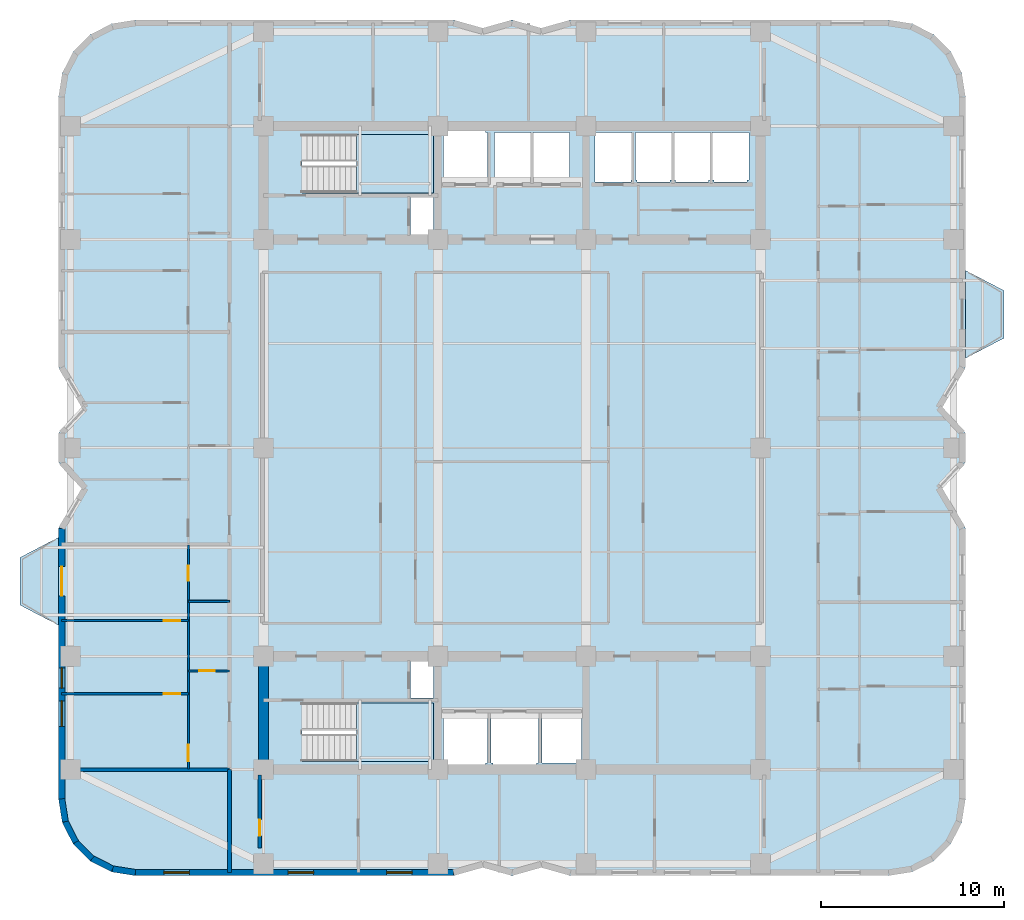
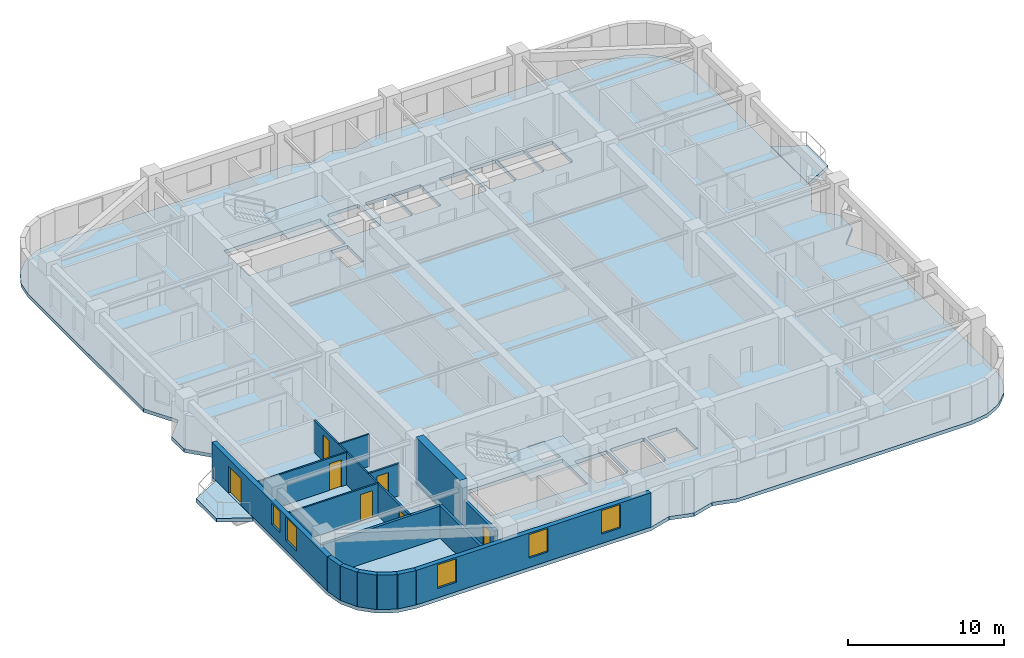
# One storey, part 2 of 10: 16 walls, 7 doors, 5 slabs, 5 windows, 12 openings, 2 elements without a shape of their own.
"""IFC4 building model written with IfcOpenShell, lengths in metres."""

from ifc_helpers import new_model, si_unit, direction, frame, frame_2d, origin, place, context, subcontext, project, spatial, polyline, rectangle, outline, extrude, material, layer, layer_set, type_object, element, fill, aggregate, save


model = new_model("IFC4")

# Units and contexts
model_context = context("Model", 3, precision=1e-05, world=origin(), true_north=direction((0.0, 1.0)))
body_context = subcontext(model_context, "Body", "Model", "MODEL_VIEW")
ifc_project = project(units=[si_unit("LENGTHUNIT", "METRE"), si_unit("AREAUNIT", "SQUARE_METRE"), si_unit("VOLUMEUNIT", "CUBIC_METRE"), si_unit("PLANEANGLEUNIT", "RADIAN"), si_unit("MASSUNIT", "GRAM", prefix="KILO")], contexts=[model_context])

# Site, building, storey
site_placement = place(None, origin())
site = spatial("IfcSite", under=ifc_project, at=site_placement, CompositionType="ELEMENT")
building_placement = place(site_placement, origin())
building = spatial("IfcBuilding", under=site, at=building_placement, Name="Svetorya Sky Lyceum", CompositionType="ELEMENT")
storey_placement = place(building_placement, frame((0.0, 0.0, 110.5)))
storey = spatial("IfcBuildingStorey", under=building, at=storey_placement, Name="L27", CompositionType="ELEMENT", Elevation=110.5)

# Slabs
ifc_material_1 = material(Name="Concrete C40/50", Category="concrete")
ifc_layer_1 = layer(ifc_material_1, 0.280029296875)
ifc_layer_set_1 = layer_set([ifc_layer_1], Name="Concrete C40/50")
slab_type_1 = type_object("IfcSlabType", Name="SL-BAL-280", PredefinedType="FLOOR", material=ifc_layer_set_1)
slab_1_placement = place(storey_placement, frame((0.0, 0.0, -0.280029296875)))
element("IfcSlab", 1, at=slab_1_placement, inside=storey, type_object=slab_type_1, Name="L27 Chamfered Loggia Balcony BAL-W1", PredefinedType="FLOOR", context=body_context, shape_type="SweptSolid", body=[
    extrude(outline(polyline([(14.389892578125, 18.5), (14.389892578125, 23.300048828125), (12.2900390625, 22.199951171875), (12.2900390625, 19.60009765625), (14.389892578125, 18.5)])), origin(), (0.0, 0.0, 1.0), 0.280029296875),
])
slab_2_placement = place(storey_placement, frame((0.0, 0.0, -0.280029296875)))
element("IfcSlab", 2, at=slab_2_placement, inside=storey, type_object=slab_type_1, Name="L27 Chamfered Loggia Balcony BAL-E1", PredefinedType="FLOOR", context=body_context, shape_type="SweptSolid", body=[
    extrude(outline(polyline([(64.010009765625, 33.10009765625), (66.110107421875, 34.199951171875), (66.110107421875, 36.800048828125), (64.010009765625, 37.89990234375), (64.010009765625, 33.10009765625)])), origin(), (0.0, 0.0, 1.0), 0.280029296875),
])

# Stair, slab
stair_type_1 = type_object("IfcStairType", Name="STR-ST-S", PredefinedType="HALF_TURN_STAIR", material=ifc_material_1)
stair_1_placement = place(storey_placement, origin())
stair_1 = element("IfcStair", 3, at=stair_1_placement, inside=storey, type_object=stair_type_1, Name="L27 South Core Smoke-Free Exit Stair N2", PredefinedType="HALF_TURN_STAIR")
ifc_layer_2 = layer(ifc_material_1, 0.199951171875)
ifc_layer_set_2 = layer_set([ifc_layer_2], Name="Concrete C40/50")
slab_type_2 = type_object("IfcSlabType", Name="SL-STR-LAND-200", PredefinedType="LANDING", material=ifc_layer_set_2)
slab_3_placement = place(storey_placement, frame((0.0, 0.0, 1.64990234375)))
slab_3 = element("IfcSlab", 4, at=slab_3_placement, type_object=slab_type_2, Name="ST-S landing 1", PredefinedType="LANDING", context=body_context, shape_type="SweptSolid", body=[
    extrude(outline(polyline([(30.699951171875, 11.050048828125), (34.89990234375, 11.050048828125), (34.89990234375, 14.25), (30.699951171875, 14.25), (30.699951171875, 11.050048828125)])), origin(), (0.0, 0.0, 1.0), 0.2001953125),
])
aggregate(stair_1, [slab_3])

stair_type_2 = type_object("IfcStairType", Name="STR-ST-N", PredefinedType="HALF_TURN_STAIR", material=ifc_material_1)
stair_2_placement = place(storey_placement, origin())
stair_2 = element("IfcStair", 5, at=stair_2_placement, inside=storey, type_object=stair_type_2, Name="L27 North Core Smoke-Free Exit Stair N3", PredefinedType="HALF_TURN_STAIR")
slab_4_placement = place(storey_placement, frame((0.0, 0.0, 1.64990234375)))
slab_4 = element("IfcSlab", 6, at=slab_4_placement, type_object=slab_type_2, Name="ST-N landing 1", PredefinedType="LANDING", context=body_context, shape_type="SweptSolid", body=[
    extrude(outline(polyline([(30.699951171875, 42.14990234375), (34.89990234375, 42.14990234375), (34.89990234375, 45.35009765625), (30.699951171875, 45.35009765625), (30.699951171875, 42.14990234375)])), origin(), (0.0, 0.0, 1.0), 0.2001953125),
])
aggregate(stair_2, [slab_4])

# Slab
ifc_material_2 = material(Name="Concrete C50/60", Category="concrete")
ifc_layer_3 = layer(ifc_material_2, 0.280029296875)
ifc_layer_set_3 = layer_set([ifc_layer_3], Name="Concrete C50/60")
slab_type_3 = type_object("IfcSlabType", Name="SL-TWR-280", PredefinedType="FLOOR", material=ifc_layer_set_3)
slab_5_placement = place(storey_placement, frame((0.0, 0.0, -0.280029296875)))
element("IfcSlab", 7, at=slab_5_placement, inside=storey, type_object=slab_type_3, Name="L27 Structural Floor Slab", PredefinedType="FLOOR", context=body_context, shape_type="SweptSolid", body=[
    extrude(outline(polyline([(14.39990234375, 9.0), (14.605712890625, 7.7021484375), (15.2021484375, 6.53125), (16.13134765625, 5.60205078125), (17.302001953125, 5.005615234375), (18.60009765625, 4.800048828125), (36.0, 4.800048828125), (37.60009765625, 5.25), (39.199951171875, 4.800048828125), (40.800048828125, 5.25), (42.39990234375, 4.800048828125), (59.800048828125, 4.800048828125), (61.097900390625, 5.005615234375), (62.268798828125, 5.60205078125), (63.197998046875, 6.53125), (63.79443359375, 7.7021484375), (64.0, 9.0), (64.0, 23.800048828125), (62.699951171875, 26.0), (64.0, 27.39990234375), (64.0, 29.0), (62.699951171875, 30.39990234375), (64.0, 32.60009765625), (64.0, 47.39990234375), (63.79443359375, 48.697998046875), (63.197998046875, 49.86865234375), (62.268798828125, 50.7978515625), (61.097900390625, 51.394287109375), (59.800048828125, 51.60009765625), (42.39990234375, 51.60009765625), (40.800048828125, 51.14990234375), (39.199951171875, 51.60009765625), (37.60009765625, 51.14990234375), (36.0, 51.60009765625), (18.60009765625, 51.60009765625), (17.302001953125, 51.394287109375), (16.13134765625, 50.7978515625), (15.2021484375, 49.86865234375), (14.605712890625, 48.697998046875), (14.39990234375, 47.39990234375), (14.39990234375, 32.60009765625), (15.699951171875, 30.39990234375), (14.39990234375, 29.0), (14.39990234375, 27.39990234375), (15.699951171875, 26.0), (14.39990234375, 23.800048828125), (14.39990234375, 9.0)]), holes=[polyline([(37.85009765625, 10.949951171875), (37.75, 10.949951171875), (37.75, 10.85009765625), (35.550048828125, 10.85009765625), (35.550048828125, 10.949951171875), (35.449951171875, 10.949951171875), (35.449951171875, 13.64990234375), (35.550048828125, 13.64990234375), (37.75, 13.64990234375), (37.85009765625, 13.64990234375), (37.85009765625, 10.949951171875)]), polyline([(40.64990234375, 13.64990234375), (40.64990234375, 10.949951171875), (40.550048828125, 10.949951171875), (40.550048828125, 10.800048828125), (38.14990234375, 10.800048828125), (38.14990234375, 10.949951171875), (38.050048828125, 10.949951171875), (38.050048828125, 13.64990234375), (38.14990234375, 13.64990234375), (38.14990234375, 13.699951171875), (40.550048828125, 13.699951171875), (40.550048828125, 13.64990234375), (40.64990234375, 13.64990234375)]), polyline([(27.719970703125, 14.25), (34.89990234375, 14.25), (34.89990234375, 11.050048828125), (27.719970703125, 11.050048828125), (27.719970703125, 14.25)]), polyline([(33.64990234375, 14.52001953125), (33.64990234375, 16.580078125), (34.89990234375, 16.580078125), (34.89990234375, 14.52001953125), (33.64990234375, 14.52001953125)]), polyline([(33.64990234375, 41.89990234375), (34.89990234375, 41.89990234375), (34.89990234375, 39.820068359375), (33.64990234375, 39.820068359375), (33.64990234375, 41.89990234375)]), polyline([(27.719970703125, 45.35009765625), (34.89990234375, 45.35009765625), (34.89990234375, 42.14990234375), (27.719970703125, 42.14990234375), (27.719970703125, 45.35009765625)]), polyline([(37.75, 45.550048828125), (37.75, 45.449951171875), (37.85009765625, 45.449951171875), (37.85009765625, 42.75), (37.75, 42.75), (35.550048828125, 42.75), (35.449951171875, 42.75), (35.449951171875, 45.449951171875), (35.550048828125, 45.449951171875), (35.550048828125, 45.550048828125), (37.75, 45.550048828125)]), polyline([(38.39990234375, 42.85009765625), (38.25, 42.85009765625), (38.25, 45.449951171875), (38.39990234375, 45.449951171875), (40.199951171875, 45.449951171875), (40.25, 45.449951171875), (40.25, 42.85009765625), (40.199951171875, 42.85009765625), (40.199951171875, 42.75), (38.39990234375, 42.75), (38.39990234375, 42.85009765625)]), polyline([(40.85009765625, 13.64990234375), (43.0, 13.64990234375), (43.0, 10.949951171875), (40.85009765625, 10.949951171875), (40.85009765625, 13.64990234375)]), polyline([(40.39990234375, 42.85009765625), (40.35009765625, 42.85009765625), (40.35009765625, 45.449951171875), (40.39990234375, 45.449951171875), (42.300048828125, 45.449951171875), (42.35009765625, 45.449951171875), (42.35009765625, 42.85009765625), (42.300048828125, 42.85009765625), (42.300048828125, 42.75), (40.39990234375, 42.75), (40.39990234375, 42.85009765625)]), polyline([(43.75, 42.75), (43.75, 42.85009765625), (43.75, 45.449951171875), (45.699951171875, 45.449951171875), (45.75, 45.449951171875), (45.75, 42.85009765625), (45.699951171875, 42.85009765625), (45.699951171875, 42.75), (43.75, 42.75)]), polyline([(46.050048828125, 42.85009765625), (45.949951171875, 42.85009765625), (45.949951171875, 45.449951171875), (46.050048828125, 45.449951171875), (47.85009765625, 45.449951171875), (47.949951171875, 45.449951171875), (47.949951171875, 42.85009765625), (47.85009765625, 42.85009765625), (47.85009765625, 42.75), (46.050048828125, 42.75), (46.050048828125, 42.85009765625)]), polyline([(48.14990234375, 42.85009765625), (48.050048828125, 42.85009765625), (48.050048828125, 45.449951171875), (48.14990234375, 45.449951171875), (49.949951171875, 45.449951171875), (50.050048828125, 45.449951171875), (50.050048828125, 42.85009765625), (49.949951171875, 42.85009765625), (49.949951171875, 42.75), (48.14990234375, 42.75), (48.14990234375, 42.85009765625)]), polyline([(52.14990234375, 42.85009765625), (52.050048828125, 42.85009765625), (52.050048828125, 42.75), (50.25, 42.75), (50.25, 42.85009765625), (50.14990234375, 42.85009765625), (50.14990234375, 45.449951171875), (50.25, 45.449951171875), (52.050048828125, 45.449951171875), (52.14990234375, 45.449951171875), (52.14990234375, 42.85009765625)])]), origin(), (0.0, 0.0, 1.0), 0.280029296875),
])

# Walls
ifc_material_3 = material(Name="Concrete C60/75", Category="concrete")
ifc_layer_4 = layer(ifc_material_3, 0.550048828125)
ifc_layer_set_4 = layer_set([ifc_layer_4], Name="Concrete C60/75")
wall_type_1 = type_object("IfcWallType", Name="WL-CORE-550", PredefinedType="SHEAR", material=ifc_layer_set_4)
wall_1_placement = place(storey_placement, frame((25.60009765625, 10.875, 0.0), z_axis=(0.0, 0.0, 1.0), x_axis=(0.0, 1.0, 0.0)))
element("IfcWall", 8, at=wall_1_placement, inside=storey, type_object=wall_type_1, Name="L27 SC West Core Shear Wall", PredefinedType="SHEAR", context=body_context, shape_type="SweptSolid", body=[
    extrude(rectangle(XDim=5.64990234375, YDim=0.550048828125, at=frame_2d((2.824951171875, 0.0))), origin(), (0.0, 0.0, 1.0), 3.699951171875),
])
ifc_material_4 = material(Name="Putilovo limestone rainscreen on autoclaved cellular masonry", Category="masonry")
ifc_layer_5 = layer(ifc_material_4, 0.340087890625)
ifc_layer_set_5 = layer_set([ifc_layer_5], Name="Putilovo limestone rainscreen on autoclaved cellular masonry")
wall_type_2 = type_object("IfcWallType", Name="WL-EXT-340", PredefinedType="SOLIDWALL", material=ifc_layer_set_5)
wall_2_placement = place(storey_placement, frame((14.570068359375, 9.0, 0.0), z_axis=(0.0, 0.0, 1.0), x_axis=(0.156260864002, -0.98771582066, 0.0)))
element("IfcWall", 9, at=wall_2_placement, inside=storey, type_object=wall_type_2, Name="L27 Limestone Exterior Wall 1M", PredefinedType="SOLIDWALL", context=body_context, shape_type="SweptSolid", body=[
    extrude(rectangle(XDim=1.2607421875, YDim=0.340087890625, at=frame_2d((0.63037109375, 0.0))), origin(), (0.0, 0.0, 1.0), 2.699951171875),
])
wall_3_placement = place(storey_placement, frame((14.76708984375, 7.754638671875, 0.0), z_axis=(0.0, 0.0, 1.0), x_axis=(0.454015689056, -0.890993689142, 0.0)))
element("IfcWall", 10, at=wall_3_placement, inside=storey, type_object=wall_type_2, Name="L27 Limestone Exterior Wall 2M", PredefinedType="SOLIDWALL", context=body_context, shape_type="SweptSolid", body=[
    extrude(rectangle(XDim=1.260986328125, YDim=0.340087890625, at=frame_2d((0.63037109375, 0.0))), origin(), (0.0, 0.0, 1.0), 2.699951171875),
])
wall_4_placement = place(storey_placement, frame((15.339599609375, 6.631103515625, 0.0), z_axis=(0.0, 0.0, 1.0), x_axis=(0.707203598708, -0.707009950407, 0.0)))
element("IfcWall", 11, at=wall_4_placement, inside=storey, type_object=wall_type_2, Name="L27 Limestone Exterior Wall 3M", PredefinedType="SOLIDWALL", context=body_context, shape_type="SweptSolid", body=[
    extrude(rectangle(XDim=1.2607421875, YDim=0.340087890625, at=frame_2d((0.63037109375, 0.0))), origin(), (0.0, 0.0, 1.0), 2.699951171875),
])
for number, where, z_axis, x_axis, name in (
    (12, (16.231201171875, 5.73974609375, 0.0), (0.0, 0.0, 1.0), (0.890993689142, -0.454015689056, 0.0), "L27 Limestone Exterior Wall 4M"),
    (13, (17.354736328125, 5.167236328125, 0.0), (0.0, 0.0, 1.0), (0.987685918112, -0.15644975923, 0.0), "L27 Limestone Exterior Wall 5M"),
):
    element("IfcWall", number, at=place(storey_placement, frame(where, z_axis=z_axis, x_axis=x_axis)), inside=storey, type_object=wall_type_2, Name=name, PredefinedType="SOLIDWALL", context=body_context, shape_type="SweptSolid", body=[
        extrude(rectangle(XDim=1.260986328125, YDim=0.340087890625, at=frame_2d((0.63037109375, 0.0))), origin(), (0.0, 0.0, 1.0), 2.699951171875),
    ])

# Wall, openings, windows
wall_5_placement = place(storey_placement, frame((18.60009765625, 4.969970703125, 0.0), z_axis=(0.0, 0.0, 1.0), x_axis=(1.0, 0.0, 0.0)))
wall_5 = element("IfcWall", 14, at=wall_5_placement, inside=storey, type_object=wall_type_2, Name="L27 Limestone Exterior Wall 6M", PredefinedType="SOLIDWALL", context=body_context, shape_type="SweptSolid", body=[
    extrude(rectangle(XDim=17.39990234375, YDim=0.340087890625, at=frame_2d((8.699951171875, 0.0))), origin(), (0.0, 0.0, 1.0), 2.699951171875),
])
opening_1_placement = place(wall_5_placement, frame((1.56005859375, 0.0, 0.72998046875)))
opening_1 = element("IfcOpeningElement", 15, at=opening_1_placement, cuts=wall_5, Name="Opening W-R2", PredefinedType="OPENING", context=body_context, shape_type="SweptSolid", body=[
    extrude(rectangle(XDim=1.39990234375, YDim=1.85009765625, at=frame_2d((0.699951171875, 0.925048828125))), frame((0.0, 0.179931640625, 0.0), z_axis=(0.0, -1.0, 0.0), x_axis=(1.0, 0.0, 0.0)), (0.0, 0.0, 1.0), 0.360107421875),
])
opening_2_placement = place(wall_5_placement, frame((8.35009765625, 0.0, 0.72998046875)))
opening_2 = element("IfcOpeningElement", 16, at=opening_2_placement, cuts=wall_5, Name="Opening W-R2", PredefinedType="OPENING", context=body_context, shape_type="SweptSolid", body=[
    extrude(rectangle(XDim=1.39990234375, YDim=1.85009765625, at=frame_2d((0.699951171875, 0.925048828125))), frame((0.0, 0.179931640625, 0.0), z_axis=(0.0, -1.0, 0.0), x_axis=(1.0, 0.0, 0.0)), (0.0, 0.0, 1.0), 0.360107421875),
])
opening_3_placement = place(wall_5_placement, frame((13.739990234375, 0.0, 0.72998046875)))
opening_3 = element("IfcOpeningElement", 17, at=opening_3_placement, cuts=wall_5, Name="Opening W-R2", PredefinedType="OPENING", context=body_context, shape_type="SweptSolid", body=[
    extrude(rectangle(XDim=1.39990234375, YDim=1.85009765625, at=frame_2d((0.699951171875, 0.925048828125))), frame((0.0, 0.179931640625, 0.0), z_axis=(0.0, -1.0, 0.0), x_axis=(1.0, 0.0, 0.0)), (0.0, 0.0, 1.0), 0.360107421875),
])
ifc_material_5 = material(Name="Thermally broken aluminium frame with triple low-E glazing", Category="aluminium")
window_type_1 = type_object("IfcWindowType", Name="WN-RES-140", PartitioningType="SINGLE_PANEL", PredefinedType="WINDOW", material=ifc_material_5)
window_1_placement = place(opening_1_placement, origin())
window_1 = element("IfcWindow", 18, at=window_1_placement, inside=storey, type_object=window_type_1, Name="L27 Facade Window W-R2.6M.1", OverallHeight=1.85009765625, OverallWidth=1.39990234375, PartitioningType="SINGLE_PANEL", PredefinedType="WINDOW", context=body_context, shape_type="SweptSolid", body=[
    extrude(rectangle(XDim=1.39990234375, YDim=1.85009765625, at=frame_2d((0.699951171875, 0.925048828125))), frame((0.0, 0.030029296875, 0.0), z_axis=(0.0, -1.0, 0.0), x_axis=(1.0, 0.0, 0.0)), (0.0, 0.0, 1.0), 0.06005859375),
])
fill(opening_1, window_1)
window_2_placement = place(opening_2_placement, origin())
window_2 = element("IfcWindow", 19, at=window_2_placement, inside=storey, type_object=window_type_1, Name="L27 Facade Window W-R2.6M.2", OverallHeight=1.85009765625, OverallWidth=1.39990234375, PartitioningType="SINGLE_PANEL", PredefinedType="WINDOW", context=body_context, shape_type="SweptSolid", body=[
    extrude(rectangle(XDim=1.39990234375, YDim=1.85009765625, at=frame_2d((0.699951171875, 0.925048828125))), frame((0.0, 0.030029296875, 0.0), z_axis=(0.0, -1.0, 0.0), x_axis=(1.0, 0.0, 0.0)), (0.0, 0.0, 1.0), 0.06005859375),
])
fill(opening_2, window_2)
window_3_placement = place(opening_3_placement, origin())
window_3 = element("IfcWindow", 20, at=window_3_placement, inside=storey, type_object=window_type_1, Name="L27 Facade Window W-R2.6M.3", OverallHeight=1.85009765625, OverallWidth=1.39990234375, PartitioningType="SINGLE_PANEL", PredefinedType="WINDOW", context=body_context, shape_type="SweptSolid", body=[
    extrude(rectangle(XDim=1.39990234375, YDim=1.85009765625, at=frame_2d((0.699951171875, 0.925048828125))), frame((0.0, 0.030029296875, 0.0), z_axis=(0.0, -1.0, 0.0), x_axis=(1.0, 0.0, 0.0)), (0.0, 0.0, 1.0), 0.06005859375),
])
fill(opening_3, window_3)

# Wall, openings, door, windows
wall_6_placement = place(storey_placement, frame((14.570068359375, 23.800048828125, 0.0), z_axis=(0.0, 0.0, 1.0), x_axis=(0.0, -1.0, 0.0)))
wall_6 = element("IfcWall", 21, at=wall_6_placement, inside=storey, type_object=wall_type_2, Name="L27 Limestone Exterior Wall 46M", PredefinedType="SOLIDWALL", context=body_context, shape_type="SweptSolid", body=[
    extrude(rectangle(XDim=14.800048828125, YDim=0.340087890625, at=frame_2d((7.39990234375, 0.0))), origin(), (0.0, 0.0, 1.0), 2.699951171875),
])
opening_4_placement = place(wall_6_placement, frame((2.10009765625, 0.0, 0.0)))
opening_4 = element("IfcOpeningElement", 22, at=opening_4_placement, cuts=wall_6, Name="Opening D-BL1", PredefinedType="OPENING", context=body_context, shape_type="SweptSolid", body=[
    extrude(rectangle(XDim=1.60009765625, YDim=2.10009765625, at=frame_2d((0.800048828125, 1.050048828125))), frame((0.0, 0.179931640625, 0.0), z_axis=(0.0, -1.0, 0.0), x_axis=(1.0, 0.0, 0.0)), (0.0, 0.0, 1.0), 0.360107421875),
])
opening_5_placement = place(wall_6_placement, frame((7.639892578125, 0.0, 0.889892578125)))
opening_5 = element("IfcOpeningElement", 23, at=opening_5_placement, cuts=wall_6, Name="Opening W-R3", PredefinedType="OPENING", context=body_context, shape_type="SweptSolid", body=[
    extrude(rectangle(XDim=1.10009765625, YDim=1.64990234375, at=frame_2d((0.550048828125, 0.824951171875))), frame((0.0, 0.179931640625, 0.0), z_axis=(0.0, -1.0, 0.0), x_axis=(1.0, 0.0, 0.0)), (0.0, 0.0, 1.0), 0.360107421875),
])
opening_6_placement = place(wall_6_placement, frame((9.4375, 0.0, 0.72998046875)))
opening_6 = element("IfcOpeningElement", 24, at=opening_6_placement, cuts=wall_6, Name="Opening W-R2", PredefinedType="OPENING", context=body_context, shape_type="SweptSolid", body=[
    extrude(rectangle(XDim=1.39990234375, YDim=1.85009765625, at=frame_2d((0.699951171875, 0.925048828125))), frame((0.0, 0.179931640625, 0.0), z_axis=(0.0, -1.0, 0.0), x_axis=(1.0, 0.0, 0.0)), (0.0, 0.0, 1.0), 0.360107421875),
])
ifc_material_6 = material(Name="Insulated glazed aluminium balcony door", Category="aluminium")
door_type_1 = type_object("IfcDoorType", Name="DR-BAL-1600", OperationType="DOUBLE_DOOR_SINGLE_SWING", PredefinedType="DOOR", material=ifc_material_6)
door_1_placement = place(opening_4_placement, origin())
door_1 = element("IfcDoor", 25, at=door_1_placement, inside=storey, type_object=door_type_1, Name="L27 Balcony BAL-W1 Door", OperationType="DOUBLE_DOOR_SINGLE_SWING", OverallHeight=2.10009765625, OverallWidth=1.60009765625, PredefinedType="DOOR", context=body_context, shape_type="SweptSolid", body=[
    extrude(rectangle(XDim=1.60009765625, YDim=2.10009765625, at=frame_2d((0.800048828125, 1.050048828125))), frame((0.0, 0.02490234375, 0.0), z_axis=(0.0, -1.0, 0.0), x_axis=(1.0, 0.0, 0.0)), (0.0, 0.0, 1.0), 0.050048828125),
])
fill(opening_4, door_1)
window_type_2 = type_object("IfcWindowType", Name="WN-RES-110", PartitioningType="SINGLE_PANEL", PredefinedType="WINDOW", material=ifc_material_5)
window_4_placement = place(opening_5_placement, origin())
window_4 = element("IfcWindow", 26, at=window_4_placement, inside=storey, type_object=window_type_2, Name="L27 Facade Window W-R3.46M.2", OverallHeight=1.64990234375, OverallWidth=1.10009765625, PartitioningType="SINGLE_PANEL", PredefinedType="WINDOW", context=body_context, shape_type="SweptSolid", body=[
    extrude(rectangle(XDim=1.10009765625, YDim=1.64990234375, at=frame_2d((0.550048828125, 0.824951171875))), frame((0.0, 0.030029296875, 0.0), z_axis=(0.0, -1.0, 0.0), x_axis=(1.0, 0.0, 0.0)), (0.0, 0.0, 1.0), 0.06005859375),
])
fill(opening_5, window_4)
window_5_placement = place(opening_6_placement, origin())
window_5 = element("IfcWindow", 27, at=window_5_placement, inside=storey, type_object=window_type_1, Name="L27 Facade Window W-R2.46M.1", OverallHeight=1.85009765625, OverallWidth=1.39990234375, PartitioningType="SINGLE_PANEL", PredefinedType="WINDOW", context=body_context, shape_type="SweptSolid", body=[
    extrude(rectangle(XDim=1.39990234375, YDim=1.85009765625, at=frame_2d((0.699951171875, 0.925048828125))), frame((0.0, 0.030029296875, 0.0), z_axis=(0.0, -1.0, 0.0), x_axis=(1.0, 0.0, 0.0)), (0.0, 0.0, 1.0), 0.06005859375),
])
fill(opening_6, window_5)

# Wall
ifc_material_7 = material(Name="Galvanized stud partition with moisture-resistant board", Category="gypsum")
ifc_layer_6 = layer(ifc_material_7, 0.10009765625)
ifc_layer_set_6 = layer_set([ifc_layer_6], Name="Galvanized stud partition with moisture-resistant board")
wall_type_3 = type_object("IfcWallType", Name="WL-PART-100", PredefinedType="PARTITIONING", material=ifc_layer_set_6)
wall_7_placement = place(storey_placement, frame((21.5, 19.800048828125, 0.0), z_axis=(0.0, 0.0, 1.0), x_axis=(1.0, 0.0, 0.0)))
element("IfcWall", 28, at=wall_7_placement, inside=storey, type_object=wall_type_3, Name="L27 Interior Partition W1-WH2", PredefinedType="PARTITIONING", context=body_context, shape_type="SweptSolid", body=[
    extrude(rectangle(XDim=2.25, YDim=0.10009765625, at=frame_2d((1.125, 0.0))), origin(), (0.0, 0.0, 1.0), 2.530029296875),
])

# Wall, opening, door
ifc_material_8 = material(Name="Twin-stud galvanized framing with double fireboard", Category="gypsum")
ifc_layer_7 = layer(ifc_material_8, 0.1201171875)
ifc_layer_set_7 = layer_set([ifc_layer_7], Name="Twin-stud galvanized framing with double fireboard")
wall_type_4 = type_object("IfcWallType", Name="WL-PART-120", PredefinedType="PARTITIONING", material=ifc_layer_set_7)
wall_8_placement = place(storey_placement, frame((21.5, 16.0, 0.0), z_axis=(0.0, 0.0, 1.0), x_axis=(1.0, 0.0, 0.0)))
wall_8 = element("IfcWall", 29, at=wall_8_placement, inside=storey, type_object=wall_type_4, Name="L27 Interior Partition W1-WH1", PredefinedType="PARTITIONING", context=body_context, shape_type="SweptSolid", body=[
    extrude(rectangle(XDim=2.25, YDim=0.1201171875, at=frame_2d((1.125, 0.0))), origin(), (0.0, 0.0, 1.0), 2.530029296875),
])
opening_7_placement = place(wall_8_placement, frame((0.60009765625, 0.0, 0.0)))
opening_7 = element("IfcOpeningElement", 30, at=opening_7_placement, cuts=wall_8, Name="Opening D-BT1", PredefinedType="OPENING", context=body_context, shape_type="SweptSolid", body=[
    extrude(rectangle(XDim=0.85009765625, YDim=2.10009765625, at=frame_2d((0.425048828125, 1.050048828125))), frame((0.0, 0.070068359375, 0.0), z_axis=(0.0, -1.0, 0.0), x_axis=(1.0, 0.0, 0.0)), (0.0, 0.0, 1.0), 0.14013671875),
])
ifc_material_9 = material(Name="Moisture-resistant laminate bathroom door")
door_type_2 = type_object("IfcDoorType", Name="DR-WET-850", OperationType="SINGLE_SWING_LEFT", PredefinedType="DOOR", material=ifc_material_9)
door_2_placement = place(opening_7_placement, origin())
door_2 = element("IfcDoor", 31, at=door_2_placement, inside=storey, type_object=door_type_2, Name="Apartment W1 Bathroom Door", OperationType="SINGLE_SWING_LEFT", OverallHeight=2.10009765625, OverallWidth=0.85009765625, PredefinedType="DOOR", context=body_context, shape_type="SweptSolid", body=[
    extrude(rectangle(XDim=0.85009765625, YDim=2.10009765625, at=frame_2d((0.425048828125, 1.050048828125))), frame((0.0, 0.02490234375, 0.0), z_axis=(0.0, -1.0, 0.0), x_axis=(1.0, 0.0, 0.0)), (0.0, 0.0, 1.0), 0.050048828125),
])
fill(opening_7, door_2)

wall_9_placement = place(storey_placement, frame((14.570068359375, 14.75, 0.0), z_axis=(0.0, 0.0, 1.0), x_axis=(1.0, 0.0, 0.0)))
wall_9 = element("IfcWall", 32, at=wall_9_placement, inside=storey, type_object=wall_type_4, Name="L27 Interior Partition W1-WL1", PredefinedType="PARTITIONING", context=body_context, shape_type="SweptSolid", body=[
    extrude(rectangle(XDim=6.929931640625, YDim=0.1201171875, at=frame_2d((3.46484375, 0.0))), origin(), (0.0, 0.0, 1.0), 2.530029296875),
])
opening_8_placement = place(wall_9_placement, frame((5.580078125, 0.0, 0.0)))
opening_8 = element("IfcOpeningElement", 33, at=opening_8_placement, cuts=wall_9, Name="Opening D-RM1", PredefinedType="OPENING", context=body_context, shape_type="SweptSolid", body=[
    extrude(rectangle(XDim=0.89990234375, YDim=2.10009765625, at=frame_2d((0.449951171875, 1.050048828125))), frame((0.0, 0.070068359375, 0.0), z_axis=(0.0, -1.0, 0.0), x_axis=(1.0, 0.0, 0.0)), (0.0, 0.0, 1.0), 0.14013671875),
])
ifc_material_10 = material(Name="Lacquered birch veneer internal door")
door_type_3 = type_object("IfcDoorType", Name="DR-INT-900", OperationType="SINGLE_SWING_LEFT", PredefinedType="DOOR", material=ifc_material_10)
door_3_placement = place(opening_8_placement, origin())
door_3 = element("IfcDoor", 34, at=door_3_placement, inside=storey, type_object=door_type_3, Name="Apartment W1 Master Bedroom Door", OperationType="SINGLE_SWING_LEFT", OverallHeight=2.10009765625, OverallWidth=0.89990234375, PredefinedType="DOOR", context=body_context, shape_type="SweptSolid", body=[
    extrude(rectangle(XDim=0.89990234375, YDim=2.10009765625, at=frame_2d((0.449951171875, 1.050048828125))), frame((0.0, 0.02490234375, 0.0), z_axis=(0.0, -1.0, 0.0), x_axis=(1.0, 0.0, 0.0)), (0.0, 0.0, 1.0), 0.050048828125),
])
fill(opening_8, door_3)

wall_10_placement = place(storey_placement, frame((14.570068359375, 18.75, 0.0), z_axis=(0.0, 0.0, 1.0), x_axis=(1.0, 0.0, 0.0)))
wall_10 = element("IfcWall", 35, at=wall_10_placement, inside=storey, type_object=wall_type_4, Name="L27 Interior Partition W1-WL2", PredefinedType="PARTITIONING", context=body_context, shape_type="SweptSolid", body=[
    extrude(rectangle(XDim=6.929931640625, YDim=0.1201171875, at=frame_2d((3.46484375, 0.0))), origin(), (0.0, 0.0, 1.0), 2.530029296875),
])
opening_9_placement = place(wall_10_placement, frame((5.580078125, 0.0, 0.0)))
opening_9 = element("IfcOpeningElement", 36, at=opening_9_placement, cuts=wall_10, Name="Opening D-RM1", PredefinedType="OPENING", context=body_context, shape_type="SweptSolid", body=[
    extrude(rectangle(XDim=0.89990234375, YDim=2.10009765625, at=frame_2d((0.449951171875, 1.050048828125))), frame((0.0, 0.070068359375, 0.0), z_axis=(0.0, -1.0, 0.0), x_axis=(1.0, 0.0, 0.0)), (0.0, 0.0, 1.0), 0.14013671875),
])
door_4_placement = place(opening_9_placement, origin())
door_4 = element("IfcDoor", 37, at=door_4_placement, inside=storey, type_object=door_type_3, Name="Apartment W1 Bedroom 2 Door", OperationType="SINGLE_SWING_RIGHT", OverallHeight=2.10009765625, OverallWidth=0.89990234375, PredefinedType="DOOR", context=body_context, shape_type="SweptSolid", body=[
    extrude(rectangle(XDim=0.89990234375, YDim=2.10009765625, at=frame_2d((0.449951171875, 1.050048828125))), frame((0.0, 0.02490234375, 0.0), z_axis=(0.0, -1.0, 0.0), x_axis=(1.0, 0.0, 0.0)), (0.0, 0.0, 1.0), 0.050048828125),
])
fill(opening_9, door_4)

# Wall, openings, doors
wall_11_placement = place(storey_placement, frame((21.5, 10.639892578125, 0.0), z_axis=(0.0, 0.0, 1.0), x_axis=(0.0, 1.0, 0.0)))
wall_11 = element("IfcWall", 38, at=wall_11_placement, inside=storey, type_object=wall_type_4, Name="L27 Interior Partition W1-WV", PredefinedType="PARTITIONING", context=body_context, shape_type="SweptSolid", body=[
    extrude(rectangle(XDim=12.239990234375, YDim=0.1201171875, at=frame_2d((6.1201171875, 0.0))), origin(), (0.0, 0.0, 1.0), 2.530029296875),
])
opening_10_placement = place(wall_11_placement, frame((0.409912109375, 0.0, 0.0)))
opening_10 = element("IfcOpeningElement", 39, at=opening_10_placement, cuts=wall_11, Name="Opening D-RM1", PredefinedType="OPENING", context=body_context, shape_type="SweptSolid", body=[
    extrude(rectangle(XDim=0.89990234375, YDim=2.10009765625, at=frame_2d((0.449951171875, 1.050048828125))), frame((0.0, 0.070068359375, 0.0), z_axis=(0.0, -1.0, 0.0), x_axis=(1.0, 0.0, 0.0)), (0.0, 0.0, 1.0), 0.14013671875),
])
opening_11_placement = place(wall_11_placement, frame((10.294921875, 0.0, 0.0)))
opening_11 = element("IfcOpeningElement", 40, at=opening_11_placement, cuts=wall_11, Name="Opening D-BT2", PredefinedType="OPENING", context=body_context, shape_type="SweptSolid", body=[
    extrude(rectangle(XDim=0.820068359375, YDim=2.080078125, at=frame_2d((0.41015625, 1.0400390625))), frame((0.0, 0.070068359375, 0.0), z_axis=(0.0, -1.0, 0.0), x_axis=(1.0, 0.0, 0.0)), (0.0, 0.0, 1.0), 0.14013671875),
])
door_5_placement = place(opening_10_placement, origin())
door_5 = element("IfcDoor", 41, at=door_5_placement, inside=storey, type_object=door_type_3, Name="Apartment W1 Living Door", OperationType="SINGLE_SWING_RIGHT", OverallHeight=2.10009765625, OverallWidth=0.89990234375, PredefinedType="DOOR", context=body_context, shape_type="SweptSolid", body=[
    extrude(rectangle(XDim=0.89990234375, YDim=2.10009765625, at=frame_2d((0.449951171875, 1.050048828125))), frame((0.0, 0.02490234375, 0.0), z_axis=(0.0, -1.0, 0.0), x_axis=(1.0, 0.0, 0.0)), (0.0, 0.0, 1.0), 0.050048828125),
])
fill(opening_10, door_5)
ifc_material_11 = material(Name="Compact moisture-resistant laminate closet door")
door_type_4 = type_object("IfcDoorType", Name="DR-WET-820", OperationType="SINGLE_SWING_LEFT", PredefinedType="DOOR", material=ifc_material_11)
door_6_placement = place(opening_11_placement, origin())
door_6 = element("IfcDoor", 42, at=door_6_placement, inside=storey, type_object=door_type_4, Name="Apartment W1 Study Door", OperationType="SINGLE_SWING_LEFT", OverallHeight=2.080078125, OverallWidth=0.820068359375, PredefinedType="DOOR", context=body_context, shape_type="SweptSolid", body=[
    extrude(rectangle(XDim=0.820068359375, YDim=2.080078125, at=frame_2d((0.41015625, 1.0400390625))), frame((0.0, 0.02490234375, 0.0), z_axis=(0.0, -1.0, 0.0), x_axis=(1.0, 0.0, 0.0)), (0.0, 0.0, 1.0), 0.050048828125),
])
fill(opening_11, door_6)

# Walls
ifc_material_12 = material(Name="Autoclaved cellular masonry blockwork with gypsum plaster", Category="masonry")
ifc_layer_8 = layer(ifc_material_12, 0.199951171875)
ifc_layer_set_8 = layer_set([ifc_layer_8], Name="Autoclaved cellular masonry blockwork with gypsum plaster")
wall_type_5 = type_object("IfcWallType", Name="WL-PART-200", PredefinedType="PARTITIONING", material=ifc_layer_set_8)
wall_12_placement = place(storey_placement, frame((14.989990234375, 10.60009765625, 0.0), z_axis=(0.0, 0.0, 1.0), x_axis=(1.0, 0.0, 0.0)))
element("IfcWall", 43, at=wall_12_placement, inside=storey, type_object=wall_type_5, Name="L27 Interior Partition W-CAP-S", PredefinedType="PARTITIONING", context=body_context, shape_type="SweptSolid", body=[
    extrude(rectangle(XDim=8.760009765625, YDim=0.199951171875, at=frame_2d((4.3798828125, 0.0))), origin(), (0.0, 0.0, 1.0), 2.530029296875),
])
wall_13_placement = place(storey_placement, frame((23.75, 4.969970703125, 0.0), z_axis=(0.0, 0.0, 1.0), x_axis=(0.0, 1.0, 0.0)))
element("IfcWall", 44, at=wall_13_placement, inside=storey, type_object=wall_type_5, Name="L27 Interior Partition WC-SW-END", PredefinedType="PARTITIONING", context=body_context, shape_type="SweptSolid", body=[
    extrude(rectangle(XDim=5.630126953125, YDim=0.199951171875, at=frame_2d((2.81494140625, 0.0))), origin(), (0.0, 0.0, 1.0), 2.530029296875),
])

# Wall, opening, door
wall_14_placement = place(storey_placement, frame((25.39990234375, 6.320068359375, 0.0), z_axis=(0.0, 0.0, 1.0), x_axis=(0.0, 1.0, 0.0)))
wall_14 = element("IfcWall", 45, at=wall_14_placement, inside=storey, type_object=wall_type_5, Name="L27 Interior Partition S4-EW", PredefinedType="PARTITIONING", context=body_context, shape_type="SweptSolid", body=[
    extrude(rectangle(XDim=3.97998046875, YDim=0.199951171875, at=frame_2d((1.989990234375, 0.0))), origin(), (0.0, 0.0, 1.0), 2.530029296875),
])
opening_12_placement = place(wall_14_placement, frame((0.64990234375, 0.0, 0.0)))
opening_12 = element("IfcOpeningElement", 46, at=opening_12_placement, cuts=wall_14, Name="Opening D-RM1", PredefinedType="OPENING", context=body_context, shape_type="SweptSolid", body=[
    extrude(rectangle(XDim=0.89990234375, YDim=2.10009765625, at=frame_2d((0.449951171875, 1.050048828125))), frame((0.0, 0.10986328125, 0.0), z_axis=(0.0, -1.0, 0.0), x_axis=(1.0, 0.0, 0.0)), (0.0, 0.0, 1.0), 0.219970703125),
])
door_7_placement = place(opening_12_placement, origin())
door_7 = element("IfcDoor", 47, at=door_7_placement, inside=storey, type_object=door_type_3, Name="L27 SW Office Door", OperationType="SINGLE_SWING_LEFT", OverallHeight=2.10009765625, OverallWidth=0.89990234375, PredefinedType="DOOR", context=body_context, shape_type="SweptSolid", body=[
    extrude(rectangle(XDim=0.89990234375, YDim=2.10009765625, at=frame_2d((0.449951171875, 1.050048828125))), frame((0.0, 0.02490234375, 0.0), z_axis=(0.0, -1.0, 0.0), x_axis=(1.0, 0.0, 0.0)), (0.0, 0.0, 1.0), 0.050048828125),
])
fill(opening_12, door_7)

save(model, "model.ifc")
